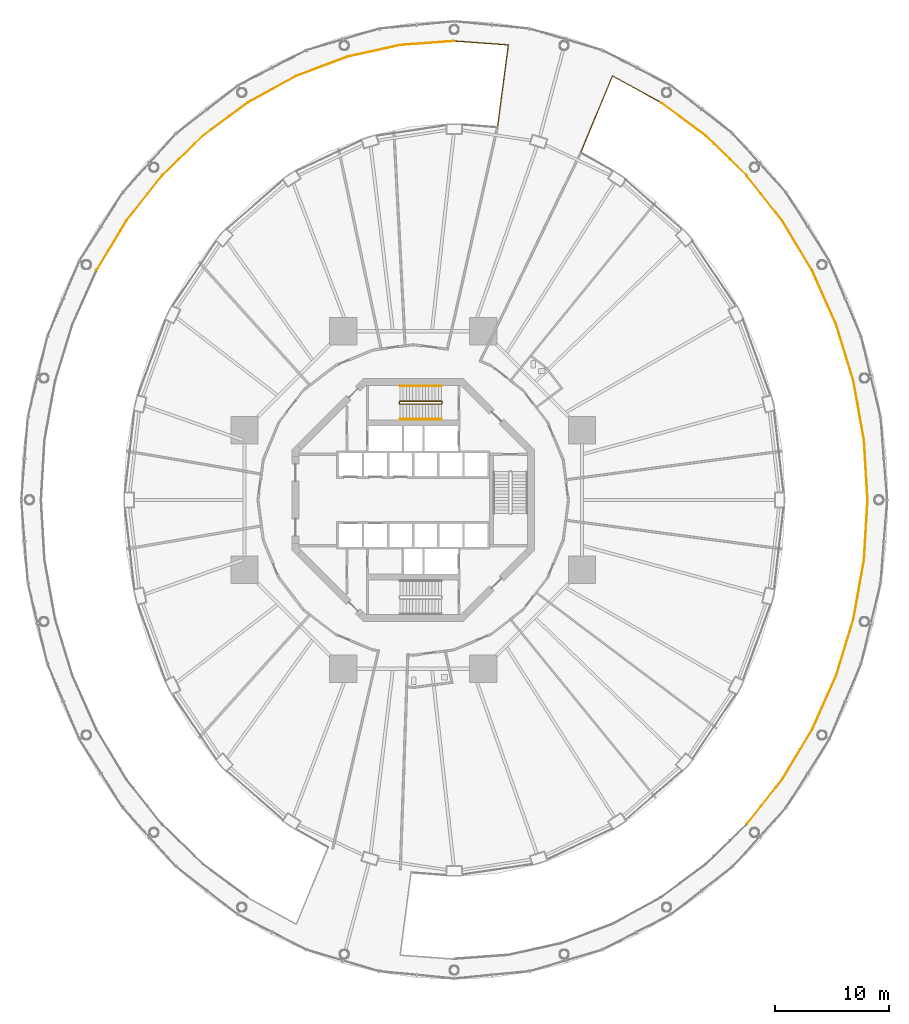
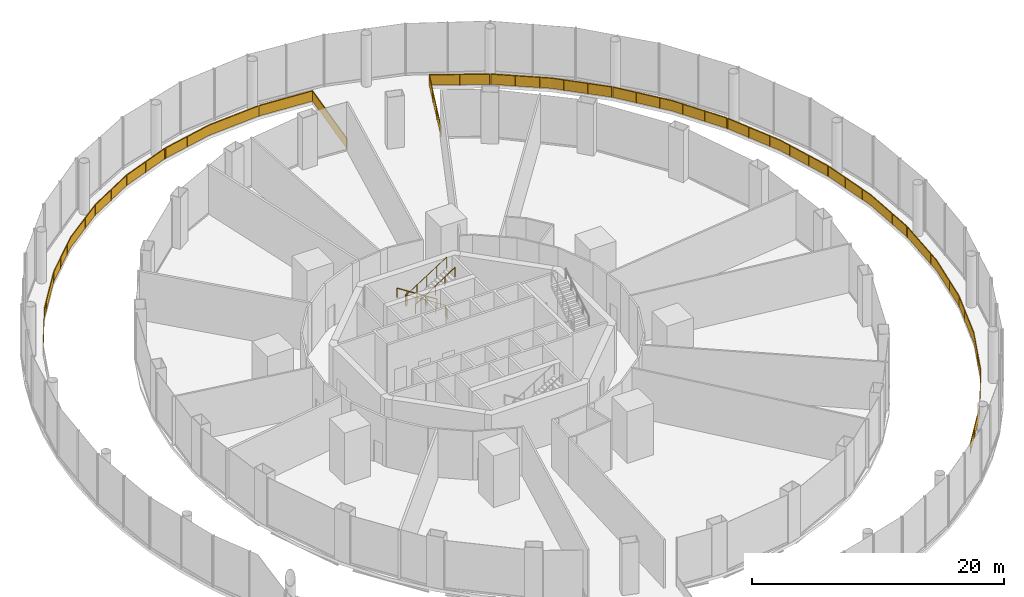
# One storey, part 47 of 48: 16 railings.
"""IFC4 building model written with IfcOpenShell, lengths in metres."""

from ifc_helpers import new_model, si_unit, direction, frame, origin, origin_2d, place, context, subcontext, project, spatial, polyline, rectangle, circle, outline, extrude, material, type_object, element, save


model = new_model("IFC4")

# Units and contexts
model_context = context("Model", 3, precision=1e-05, world=origin(), true_north=direction((0.0, 1.0)))
body_context = subcontext(model_context, "Body", "Model", "MODEL_VIEW")
ifc_project = project(units=[si_unit("LENGTHUNIT", "METRE"), si_unit("AREAUNIT", "SQUARE_METRE"), si_unit("VOLUMEUNIT", "CUBIC_METRE"), si_unit("PLANEANGLEUNIT", "RADIAN"), si_unit("MASSUNIT", "GRAM", prefix="KILO")], contexts=[model_context])

# Site, building, storey
site_placement = place(None, origin())
site = spatial("IfcSite", under=ifc_project, at=site_placement, CompositionType="ELEMENT")
building_placement = place(site_placement, origin())
building = spatial("IfcBuilding", under=site, at=building_placement, Name="Nagisa Residences", CompositionType="ELEMENT")
storey_placement = place(building_placement, frame((0.0, 0.0, 12.0)))
storey = spatial("IfcBuildingStorey", under=building, at=storey_placement, Name="L02", CompositionType="ELEMENT", Elevation=12.0)

# Railings
ifc_material_1 = material(Name="Stainless steel 316", Category="steel")
railing_type_1 = type_object("IfcRailingType", Name="ROOF GUARD 1100", PredefinedType="GUARDRAIL", material=ifc_material_1)
railing_1_placement = place(storey_placement, frame((7.390380859375, 32.75732421875, 0.0)))
element("IfcRailing", 1, at=railing_1_placement, inside=storey, type_object=railing_type_1, Name="guard:L02:gal0-00", PredefinedType="GUARDRAIL", context=body_context, shape_type="SweptSolid", body=[
    extrude(outline(polyline([(0.90625, 7.075927734375), (-0.02490234375, 0.003173828125), (0.02490234375, -0.003173828125), (0.962890625, 7.121826171875), (-3.748779296875, 7.464599609375), (-3.752197265625, 7.414794921875), (0.90625, 7.075927734375)])), frame((0.0, 0.0, 1.050048828125)), (0.0, 0.0, 1.0), 0.050048828125),
    extrude(outline(polyline([(0.9267578125, 7.092529296875), (-0.0068359375, 0.0009765625), (0.0068359375, -0.0009765625), (0.9423828125, 7.105224609375), (-3.75, 7.44677734375), (-3.7509765625, 7.4326171875), (0.9267578125, 7.092529296875)])), frame((0.0, 0.0, 0.06005859375)), (0.0, 0.0, 1.0), 0.989990234375),
    extrude(rectangle(XDim=0.0400390625, YDim=0.0400390625, at=origin_2d()), origin(), (0.0, 0.0, 1.0), 1.050048828125),
    extrude(rectangle(XDim=0.0400390625, YDim=0.0400390625, at=origin_2d()), frame((0.3095703125, 2.351318359375, 0.0)), (0.0, 0.0, 1.0), 1.050048828125),
    extrude(rectangle(XDim=0.0400390625, YDim=0.0400390625, at=origin_2d()), frame((0.619140625, 4.702392578125, 0.0)), (0.0, 0.0, 1.0), 1.050048828125),
    extrude(rectangle(XDim=0.0400390625, YDim=0.0400390625, at=origin_2d()), frame((0.9287109375, 7.0537109375, 0.0)), (0.0, 0.0, 1.0), 1.050048828125),
    extrude(rectangle(XDim=0.0400390625, YDim=0.0400390625, at=origin_2d()), frame((-1.38525390625, 7.267578125, 0.0)), (0.0, 0.0, 1.0), 1.050048828125),
    extrude(rectangle(XDim=0.0400390625, YDim=0.0400390625, at=origin_2d()), frame((-3.75048828125, 7.439697265625, 0.0)), (0.0, 0.0, 1.0), 1.050048828125),
])
railing_2_placement = place(storey_placement, frame((3.56005859375, 40.197021484375, 0.0)))
element("IfcRailing", 2, at=railing_2_placement, inside=storey, type_object=railing_type_1, Name="guard:L02:gal0-01", PredefinedType="GUARDRAIL", context=body_context, shape_type="SweptSolid", body=[
    extrude(outline(polyline([(-4.681396484375, -0.36572265625), (0.001708984375, -0.02490234375), (-0.001708984375, 0.02490234375), (-4.688720703125, -0.31591796875), (-9.295654296875, -1.333740234375), (-9.284912109375, -1.382568359375), (-4.681396484375, -0.36572265625)])), frame((0.0, 0.0, 1.050048828125)), (0.0, 0.0, 1.0), 0.050048828125),
    extrude(outline(polyline([(-4.68408203125, -0.34765625), (0.00048828125, -0.007080078125), (-0.00048828125, 0.007080078125), (-4.68603515625, -0.333984375), (-9.291748046875, -1.351318359375), (-9.288818359375, -1.364990234375), (-4.68408203125, -0.34765625)])), frame((0.0, 0.0, 0.06005859375)), (0.0, 0.0, 1.0), 0.989990234375),
    extrude(rectangle(XDim=0.0400390625, YDim=0.0400390625, at=origin_2d()), origin(), (0.0, 0.0, 1.0), 1.050048828125),
    extrude(rectangle(XDim=0.0400390625, YDim=0.0400390625, at=origin_2d()), frame((-2.34716796875, -0.170654296875, 0.0)), (0.0, 0.0, 1.0), 1.050048828125),
    extrude(rectangle(XDim=0.0400390625, YDim=0.0400390625, at=origin_2d()), frame((-4.6943359375, -0.3427734375, 0.0)), (0.0, 0.0, 1.0), 1.050048828125),
    extrude(rectangle(XDim=0.0400390625, YDim=0.0400390625, at=origin_2d()), frame((-6.9921875, -0.8505859375, 0.0)), (0.0, 0.0, 1.0), 1.050048828125),
    extrude(rectangle(XDim=0.0400390625, YDim=0.0400390625, at=origin_2d()), frame((-9.290283203125, -1.358154296875, 0.0)), (0.0, 0.0, 1.0), 1.050048828125),
])
railing_3_placement = place(storey_placement, frame((-5.806640625, 38.816162109375, 0.0)))
element("IfcRailing", 3, at=railing_3_placement, inside=storey, type_object=railing_type_1, Name="guard:L02:gal0-02", PredefinedType="GUARDRAIL", context=body_context, shape_type="SweptSolid", body=[
    extrude(outline(polyline([(-4.43603515625, -1.698974609375), (0.0087890625, -0.0234375), (-0.0087890625, 0.0234375), (-4.45703125, -1.653564453125), (-8.670166015625, -3.960693359375), (-8.646240234375, -4.004638671875), (-4.43603515625, -1.698974609375)])), frame((0.0, 0.0, 1.050048828125)), (0.0, 0.0, 1.0), 0.050048828125),
    extrude(outline(polyline([(-4.443603515625, -1.6826171875), (0.00244140625, -0.006591796875), (-0.00244140625, 0.006591796875), (-4.449462890625, -1.669921875), (-8.66162109375, -3.9765625), (-8.65478515625, -3.98876953125), (-4.443603515625, -1.6826171875)])), frame((0.0, 0.0, 0.06005859375)), (0.0, 0.0, 1.0), 0.989990234375),
    extrude(rectangle(XDim=0.0400390625, YDim=0.0400390625, at=origin_2d()), origin(), (0.0, 0.0, 1.0), 1.050048828125),
    extrude(rectangle(XDim=0.0400390625, YDim=0.0400390625, at=origin_2d()), frame((-2.23486328125, -0.842529296875, 0.0)), (0.0, 0.0, 1.0), 1.050048828125),
    extrude(rectangle(XDim=0.0400390625, YDim=0.0400390625, at=origin_2d()), frame((-4.468505859375, -1.688232421875, 0.0)), (0.0, 0.0, 1.0), 1.050048828125),
    extrude(rectangle(XDim=0.0400390625, YDim=0.0400390625, at=origin_2d()), frame((-6.563232421875, -2.83544921875, 0.0)), (0.0, 0.0, 1.0), 1.050048828125),
    extrude(rectangle(XDim=0.0400390625, YDim=0.0400390625, at=origin_2d()), frame((-8.658203125, -3.982666015625, 0.0)), (0.0, 0.0, 1.0), 1.050048828125),
])
railing_4_placement = place(storey_placement, frame((-14.5322265625, 34.790283203125, 0.0)))
element("IfcRailing", 4, at=railing_4_placement, inside=storey, type_object=railing_type_1, Name="guard:L02:gal0-03", PredefinedType="GUARDRAIL", context=body_context, shape_type="SweptSolid", body=[
    extrude(outline(polyline([(-3.888671875, -2.91650390625), (0.014892578125, -0.02001953125), (-0.014892578125, 0.02001953125), (-3.92138671875, -2.87841796875), (-7.453857421875, -6.31884765625), (-7.418701171875, -6.3544921875), (-3.888671875, -2.91650390625)])), frame((0.0, 0.0, 1.050048828125)), (0.0, 0.0, 1.0), 0.050048828125),
    extrude(outline(polyline([(-3.900390625, -2.90283203125), (0.004150390625, -0.005615234375), (-0.004150390625, 0.005615234375), (-3.90966796875, -2.89208984375), (-7.441162109375, -6.33154296875), (-7.431396484375, -6.341796875), (-3.900390625, -2.90283203125)])), frame((0.0, 0.0, 0.06005859375)), (0.0, 0.0, 1.0), 0.989990234375),
    extrude(rectangle(XDim=0.0400390625, YDim=0.0400390625, at=origin_2d()), origin(), (0.0, 0.0, 1.0), 1.050048828125),
    extrude(rectangle(XDim=0.0400390625, YDim=0.0400390625, at=origin_2d()), frame((-1.57275390625, -1.1669921875, 0.0)), (0.0, 0.0, 1.0), 1.050048828125),
    extrude(rectangle(XDim=0.0400390625, YDim=0.0400390625, at=origin_2d()), frame((-3.1455078125, -2.333984375, 0.0)), (0.0, 0.0, 1.0), 1.050048828125),
    extrude(rectangle(XDim=0.0400390625, YDim=0.0400390625, at=origin_2d()), frame((-4.63037109375, -3.60400390625, 0.0)), (0.0, 0.0, 1.0), 1.050048828125),
    extrude(rectangle(XDim=0.0400390625, YDim=0.0400390625, at=origin_2d()), frame((-6.033447265625, -4.97021484375, 0.0)), (0.0, 0.0, 1.0), 1.050048828125),
    extrude(rectangle(XDim=0.0400390625, YDim=0.0400390625, at=origin_2d()), frame((-7.436279296875, -6.336669921875, 0.0)), (0.0, 0.0, 1.0), 1.050048828125),
])
railing_5_placement = place(storey_placement, frame((-22.02197265625, 28.394287109375, 0.0)))
element("IfcRailing", 5, at=railing_5_placement, inside=storey, type_object=railing_type_1, Name="guard:L02:gal0-04", PredefinedType="GUARDRAIL", context=body_context, shape_type="SweptSolid", body=[
    extrude(outline(polyline([(-3.076904296875, -3.936279296875), (0.01953125, -0.015625), (-0.01953125, 0.015625), (-3.117919921875, -3.907958984375), (-5.72900390625, -8.2470703125), (-5.68603515625, -8.27294921875), (-3.076904296875, -3.936279296875)])), frame((0.0, 0.0, 1.050048828125)), (0.0, 0.0, 1.0), 0.050048828125),
    extrude(outline(polyline([(-3.091552734375, -3.926025390625), (0.005615234375, -0.00439453125), (-0.005615234375, 0.00439453125), (-3.103271484375, -3.918212890625), (-5.713623046875, -8.25634765625), (-5.701416015625, -8.263671875), (-3.091552734375, -3.926025390625)])), frame((0.0, 0.0, 0.06005859375)), (0.0, 0.0, 1.0), 0.989990234375),
    extrude(rectangle(XDim=0.0400390625, YDim=0.0400390625, at=origin_2d()), origin(), (0.0, 0.0, 1.0), 1.050048828125),
    extrude(rectangle(XDim=0.0400390625, YDim=0.0400390625, at=origin_2d()), frame((-1.2470703125, -1.5791015625, 0.0)), (0.0, 0.0, 1.0), 1.050048828125),
    extrude(rectangle(XDim=0.0400390625, YDim=0.0400390625, at=origin_2d()), frame((-2.494140625, -3.157958984375, 0.0)), (0.0, 0.0, 1.0), 1.050048828125),
    extrude(rectangle(XDim=0.0400390625, YDim=0.0400390625, at=origin_2d()), frame((-3.6328125, -4.81201171875, 0.0)), (0.0, 0.0, 1.0), 1.050048828125),
    extrude(rectangle(XDim=0.0400390625, YDim=0.0400390625, at=origin_2d()), frame((-4.670166015625, -6.535888671875, 0.0)), (0.0, 0.0, 1.0), 1.050048828125),
    extrude(rectangle(XDim=0.0400390625, YDim=0.0400390625, at=origin_2d()), frame((-5.70751953125, -8.260009765625, 0.0)), (0.0, 0.0, 1.0), 1.050048828125),
])
railing_6_placement = place(storey_placement, frame((29.22216796875, -28.394287109375, 0.0)))
element("IfcRailing", 6, at=railing_6_placement, inside=storey, type_object=railing_type_1, Name="guard:L02:gal1-04", PredefinedType="GUARDRAIL", context=body_context, shape_type="SweptSolid", body=[
    extrude(outline(polyline([(3.07666015625, 3.936279296875), (-0.01953125, 0.015625), (0.01953125, -0.015625), (3.11767578125, 3.907958984375), (5.728759765625, 8.2470703125), (5.685791015625, 8.27294921875), (3.07666015625, 3.936279296875)])), frame((0.0, 0.0, 1.050048828125)), (0.0, 0.0, 1.0), 0.050048828125),
    extrude(outline(polyline([(3.09130859375, 3.926025390625), (-0.005615234375, 0.00439453125), (0.005615234375, -0.00439453125), (3.10302734375, 3.918212890625), (5.71337890625, 8.25634765625), (5.701171875, 8.263671875), (3.09130859375, 3.926025390625)])), frame((0.0, 0.0, 0.06005859375)), (0.0, 0.0, 1.0), 0.989990234375),
    extrude(rectangle(XDim=0.0400390625, YDim=0.0400390625, at=origin_2d()), origin(), (0.0, 0.0, 1.0), 1.050048828125),
    extrude(rectangle(XDim=0.0400390625, YDim=0.0400390625, at=origin_2d()), frame((1.246826171875, 1.5791015625, 0.0)), (0.0, 0.0, 1.0), 1.050048828125),
    extrude(rectangle(XDim=0.0400390625, YDim=0.0400390625, at=origin_2d()), frame((2.493896484375, 3.158203125, 0.0)), (0.0, 0.0, 1.0), 1.050048828125),
    extrude(rectangle(XDim=0.0400390625, YDim=0.0400390625, at=origin_2d()), frame((3.632568359375, 4.81201171875, 0.0)), (0.0, 0.0, 1.0), 1.050048828125),
    extrude(rectangle(XDim=0.0400390625, YDim=0.0400390625, at=origin_2d()), frame((4.669921875, 6.535888671875, 0.0)), (0.0, 0.0, 1.0), 1.050048828125),
    extrude(rectangle(XDim=0.0400390625, YDim=0.0400390625, at=origin_2d()), frame((5.707275390625, 8.260009765625, 0.0)), (0.0, 0.0, 1.0), 1.050048828125),
])
railing_7_placement = place(storey_placement, frame((34.96630859375, -20.0634765625, 0.0)))
element("IfcRailing", 7, at=railing_7_placement, inside=storey, type_object=railing_type_1, Name="guard:L02:gal1-05", PredefinedType="GUARDRAIL", context=body_context, shape_type="SweptSolid", body=[
    extrude(outline(polyline([(2.0546875, 4.6884765625), (-0.02294921875, 0.01025390625), (0.02294921875, -0.01025390625), (2.1015625, 4.6708984375), (3.612548828125, 9.61328125), (3.564697265625, 9.6279296875), (2.0546875, 4.6884765625)])), frame((0.0, 0.0, 1.050048828125)), (0.0, 0.0, 1.0), 0.050048828125),
    extrude(outline(polyline([(2.071533203125, 4.68212890625), (-0.00634765625, 0.0029296875), (0.00634765625, -0.0029296875), (2.084716796875, 4.67724609375), (3.59521484375, 9.61865234375), (3.58203125, 9.62255859375), (2.071533203125, 4.68212890625)])), frame((0.0, 0.0, 0.06005859375)), (0.0, 0.0, 1.0), 0.989990234375),
    extrude(rectangle(XDim=0.0400390625, YDim=0.0400390625, at=origin_2d()), origin(), (0.0, 0.0, 1.0), 1.050048828125),
    extrude(rectangle(XDim=0.0400390625, YDim=0.0400390625, at=origin_2d()), frame((0.8349609375, 1.88037109375, 0.0)), (0.0, 0.0, 1.0), 1.050048828125),
    extrude(rectangle(XDim=0.0400390625, YDim=0.0400390625, at=origin_2d()), frame((1.669921875, 3.7607421875, 0.0)), (0.0, 0.0, 1.0), 1.050048828125),
    extrude(rectangle(XDim=0.0400390625, YDim=0.0400390625, at=origin_2d()), frame((2.3857421875, 5.685546875, 0.0)), (0.0, 0.0, 1.0), 1.050048828125),
    extrude(rectangle(XDim=0.0400390625, YDim=0.0400390625, at=origin_2d()), frame((2.987060546875, 7.653076171875, 0.0)), (0.0, 0.0, 1.0), 1.050048828125),
    extrude(rectangle(XDim=0.0400390625, YDim=0.0400390625, at=origin_2d()), frame((3.588623046875, 9.62060546875, 0.0)), (0.0, 0.0, 1.0), 1.050048828125),
])
railing_8_placement = place(storey_placement, frame((38.573486328125, -10.365234375, 0.0)))
element("IfcRailing", 8, at=railing_8_placement, inside=storey, type_object=railing_type_1, Name="guard:L02:gal1-06", PredefinedType="GUARDRAIL", context=body_context, shape_type="SweptSolid", body=[
    extrude(outline(polyline([(0.891845703125, 5.12109375), (-0.024658203125, 0.00439453125), (0.024658203125, -0.00439453125), (0.941650390625, 5.115234375), (1.2490234375, 10.32373046875), (1.19921875, 10.32666015625), (0.891845703125, 5.12109375)])), frame((0.0, 0.0, 1.050048828125)), (0.0, 0.0, 1.0), 0.050048828125),
    extrude(outline(polyline([(0.90966796875, 5.118896484375), (-0.0068359375, 0.001220703125), (0.0068359375, -0.001220703125), (0.923828125, 5.117431640625), (1.231201171875, 10.32470703125), (1.217041015625, 10.32568359375), (0.90966796875, 5.118896484375)])), frame((0.0, 0.0, 0.06005859375)), (0.0, 0.0, 1.0), 0.989990234375),
    extrude(rectangle(XDim=0.0400390625, YDim=0.0400390625, at=origin_2d()), origin(), (0.0, 0.0, 1.0), 1.050048828125),
    extrude(rectangle(XDim=0.0400390625, YDim=0.0400390625, at=origin_2d()), frame((0.3671875, 2.050537109375, 0.0)), (0.0, 0.0, 1.0), 1.050048828125),
    extrude(rectangle(XDim=0.0400390625, YDim=0.0400390625, at=origin_2d()), frame((0.734619140625, 4.10107421875, 0.0)), (0.0, 0.0, 1.0), 1.050048828125),
    extrude(rectangle(XDim=0.0400390625, YDim=0.0400390625, at=origin_2d()), frame((0.978515625, 6.166259765625, 0.0)), (0.0, 0.0, 1.0), 1.050048828125),
    extrude(rectangle(XDim=0.0400390625, YDim=0.0400390625, at=origin_2d()), frame((1.101318359375, 8.24560546875, 0.0)), (0.0, 0.0, 1.0), 1.050048828125),
    extrude(rectangle(XDim=0.0400390625, YDim=0.0400390625, at=origin_2d()), frame((1.22412109375, 10.3251953125, 0.0)), (0.0, 0.0, 1.0), 1.050048828125),
])
railing_9_placement = place(storey_placement, frame((39.797607421875, 0.0400390625, 0.0)))
element("IfcRailing", 9, at=railing_9_placement, inside=storey, type_object=railing_type_1, Name="guard:L02:gal1-07", PredefinedType="GUARDRAIL", context=body_context, shape_type="SweptSolid", body=[
    extrude(outline(polyline([(-0.332275390625, 5.2041015625), (-0.02490234375, -0.00146484375), (0.02490234375, 0.00146484375), (-0.282470703125, 5.2099609375), (-1.199462890625, 10.32958984375), (-1.248779296875, 10.32080078125), (-0.332275390625, 5.2041015625)])), frame((0.0, 0.0, 1.050048828125)), (0.0, 0.0, 1.0), 0.050048828125),
    extrude(outline(polyline([(-0.314453125, 5.206298828125), (-0.007080078125, -0.00048828125), (0.007080078125, 0.00048828125), (-0.30029296875, 5.207763671875), (-1.21728515625, 10.326416015625), (-1.23095703125, 10.323974609375), (-0.314453125, 5.206298828125)])), frame((0.0, 0.0, 0.06005859375)), (0.0, 0.0, 1.0), 0.989990234375),
    extrude(rectangle(XDim=0.0400390625, YDim=0.0400390625, at=origin_2d()), origin(), (0.0, 0.0, 1.0), 1.050048828125),
    extrude(rectangle(XDim=0.0400390625, YDim=0.0400390625, at=origin_2d()), frame((-0.122802734375, 2.07958984375, 0.0)), (0.0, 0.0, 1.0), 1.050048828125),
    extrude(rectangle(XDim=0.0400390625, YDim=0.0400390625, at=origin_2d()), frame((-0.24560546875, 4.158935546875, 0.0)), (0.0, 0.0, 1.0), 1.050048828125),
    extrude(rectangle(XDim=0.0400390625, YDim=0.0400390625, at=origin_2d()), frame((-0.489501953125, 6.22412109375, 0.0)), (0.0, 0.0, 1.0), 1.050048828125),
    extrude(rectangle(XDim=0.0400390625, YDim=0.0400390625, at=origin_2d()), frame((-0.85693359375, 8.274658203125, 0.0)), (0.0, 0.0, 1.0), 1.050048828125),
    extrude(rectangle(XDim=0.0400390625, YDim=0.0400390625, at=origin_2d()), frame((-1.22412109375, 10.3251953125, 0.0)), (0.0, 0.0, 1.0), 1.050048828125),
])
railing_10_placement = place(storey_placement, frame((38.554931640625, 10.44287109375, 0.0)))
element("IfcRailing", 10, at=railing_10_placement, inside=storey, type_object=railing_type_1, Name="guard:L02:gal1-08", PredefinedType="GUARDRAIL", context=body_context, shape_type="SweptSolid", body=[
    extrude(outline(polyline([(-1.533935546875, 4.93212890625), (-0.02392578125, -0.00732421875), (0.02392578125, 0.00732421875), (-1.487060546875, 4.94970703125), (-3.565673828125, 9.630859375), (-3.611572265625, 9.6103515625), (-1.533935546875, 4.93212890625)])), frame((0.0, 0.0, 1.050048828125)), (0.0, 0.0, 1.0), 0.050048828125),
    extrude(outline(polyline([(-1.51708984375, 4.9384765625), (-0.006591796875, -0.001953125), (0.006591796875, 0.001953125), (-1.50390625, 4.943359375), (-3.582275390625, 9.62353515625), (-3.594970703125, 9.61767578125), (-1.51708984375, 4.9384765625)])), frame((0.0, 0.0, 0.06005859375)), (0.0, 0.0, 1.0), 0.989990234375),
    extrude(rectangle(XDim=0.0400390625, YDim=0.0400390625, at=origin_2d()), origin(), (0.0, 0.0, 1.0), 1.050048828125),
    extrude(rectangle(XDim=0.0400390625, YDim=0.0400390625, at=origin_2d()), frame((-0.6015625, 1.967529296875, 0.0)), (0.0, 0.0, 1.0), 1.050048828125),
    extrude(rectangle(XDim=0.0400390625, YDim=0.0400390625, at=origin_2d()), frame((-1.202880859375, 3.93505859375, 0.0)), (0.0, 0.0, 1.0), 1.050048828125),
    extrude(rectangle(XDim=0.0400390625, YDim=0.0400390625, at=origin_2d()), frame((-1.918701171875, 5.85986328125, 0.0)), (0.0, 0.0, 1.0), 1.050048828125),
    extrude(rectangle(XDim=0.0400390625, YDim=0.0400390625, at=origin_2d()), frame((-2.753662109375, 7.740234375, 0.0)), (0.0, 0.0, 1.0), 1.050048828125),
    extrude(rectangle(XDim=0.0400390625, YDim=0.0400390625, at=origin_2d()), frame((-3.588623046875, 9.62060546875, 0.0)), (0.0, 0.0, 1.0), 1.050048828125),
])
railing_11_placement = place(storey_placement, frame((34.929443359375, 20.13427734375, 0.0)))
element("IfcRailing", 11, at=railing_11_placement, inside=storey, type_object=railing_type_1, Name="guard:L02:gal1-09", PredefinedType="GUARDRAIL", context=body_context, shape_type="SweptSolid", body=[
    extrude(outline(polyline([(-2.630615234375, 4.32373046875), (-0.021484375, -0.012939453125), (0.021484375, 0.012939453125), (-2.589599609375, 4.35205078125), (-5.687744140625, 8.275634765625), (-5.726806640625, 8.244384765625), (-2.630615234375, 4.32373046875)])), frame((0.0, 0.0, 1.050048828125)), (0.0, 0.0, 1.0), 0.050048828125),
    extrude(outline(polyline([(-2.615966796875, 4.333984375), (-0.006103515625, -0.003662109375), (0.006103515625, 0.003662109375), (-2.604248046875, 4.341796875), (-5.70166015625, 8.264404296875), (-5.712890625, 8.255615234375), (-2.615966796875, 4.333984375)])), frame((0.0, 0.0, 0.06005859375)), (0.0, 0.0, 1.0), 0.989990234375),
    extrude(rectangle(XDim=0.0400390625, YDim=0.0400390625, at=origin_2d()), origin(), (0.0, 0.0, 1.0), 1.050048828125),
    extrude(rectangle(XDim=0.0400390625, YDim=0.0400390625, at=origin_2d()), frame((-1.037353515625, 1.72412109375, 0.0)), (0.0, 0.0, 1.0), 1.050048828125),
    extrude(rectangle(XDim=0.0400390625, YDim=0.0400390625, at=origin_2d()), frame((-2.07470703125, 3.447998046875, 0.0)), (0.0, 0.0, 1.0), 1.050048828125),
    extrude(rectangle(XDim=0.0400390625, YDim=0.0400390625, at=origin_2d()), frame((-3.21337890625, 5.101806640625, 0.0)), (0.0, 0.0, 1.0), 1.050048828125),
    extrude(rectangle(XDim=0.0400390625, YDim=0.0400390625, at=origin_2d()), frame((-4.46044921875, 6.680908203125, 0.0)), (0.0, 0.0, 1.0), 1.050048828125),
    extrude(rectangle(XDim=0.0400390625, YDim=0.0400390625, at=origin_2d()), frame((-5.707275390625, 8.260009765625, 0.0)), (0.0, 0.0, 1.0), 1.050048828125),
])
railing_12_placement = place(storey_placement, frame((29.168701171875, 28.45361328125, 0.0)))
element("IfcRailing", 12, at=railing_12_placement, inside=storey, type_object=railing_type_1, Name="guard:L02:gal1-10", PredefinedType="GUARDRAIL", context=body_context, shape_type="SweptSolid", body=[
    extrude(outline(polyline([(-3.5478515625, 3.420166015625), (-0.017578125, -0.017822265625), (0.017578125, 0.017822265625), (-3.51513671875, 3.458251953125), (-7.421630859375, 6.356689453125), (-7.451416015625, 6.316650390625), (-3.5478515625, 3.420166015625)])), frame((0.0, 0.0, 1.050048828125)), (0.0, 0.0, 1.0), 0.050048828125),
    extrude(outline(polyline([(-3.5361328125, 3.433837890625), (-0.0048828125, -0.005126953125), (0.0048828125, 0.005126953125), (-3.52685546875, 3.444580078125), (-7.432373046875, 6.34228515625), (-7.440673828125, 6.3310546875), (-3.5361328125, 3.433837890625)])), frame((0.0, 0.0, 0.06005859375)), (0.0, 0.0, 1.0), 0.989990234375),
    extrude(rectangle(XDim=0.0400390625, YDim=0.0400390625, at=origin_2d()), origin(), (0.0, 0.0, 1.0), 1.050048828125),
    extrude(rectangle(XDim=0.0400390625, YDim=0.0400390625, at=origin_2d()), frame((-1.403076171875, 1.366455078125, 0.0)), (0.0, 0.0, 1.0), 1.050048828125),
    extrude(rectangle(XDim=0.0400390625, YDim=0.0400390625, at=origin_2d()), frame((-2.805908203125, 2.732666015625, 0.0)), (0.0, 0.0, 1.0), 1.050048828125),
    extrude(rectangle(XDim=0.0400390625, YDim=0.0400390625, at=origin_2d()), frame((-4.291015625, 4.002685546875, 0.0)), (0.0, 0.0, 1.0), 1.050048828125),
    extrude(rectangle(XDim=0.0400390625, YDim=0.0400390625, at=origin_2d()), frame((-5.86376953125, 5.169677734375, 0.0)), (0.0, 0.0, 1.0), 1.050048828125),
    extrude(rectangle(XDim=0.0400390625, YDim=0.0400390625, at=origin_2d()), frame((-7.4365234375, 6.336669921875, 0.0)), (0.0, 0.0, 1.0), 1.050048828125),
])
railing_13_placement = place(storey_placement, frame((21.664794921875, 34.83349609375, 0.0)))
element("IfcRailing", 13, at=railing_13_placement, inside=storey, type_object=railing_type_1, Name="guard:L02:gal1-11", PredefinedType="GUARDRAIL", context=body_context, shape_type="SweptSolid", body=[
    extrude(outline(polyline([(-4.19921875, 2.27099609375), (-0.011962890625, -0.02197265625), (0.011962890625, 0.02197265625), (-4.22412109375, 2.341796875), (-6.974853515625, -4.299072265625), (-6.928466796875, -4.318115234375), (-4.19921875, 2.27099609375)])), frame((0.0, 0.0, 1.050048828125)), (0.0, 0.0, 1.0), 0.050048828125),
    extrude(outline(polyline([(-4.208251953125, 2.296630859375), (-0.00341796875, -0.006103515625), (0.00341796875, 0.006103515625), (-4.215087890625, 2.316162109375), (-6.9580078125, -4.305908203125), (-6.9453125, -4.311279296875), (-4.208251953125, 2.296630859375)])), frame((0.0, 0.0, 0.06005859375)), (0.0, 0.0, 1.0), 0.989990234375),
    extrude(rectangle(XDim=0.0400390625, YDim=0.0400390625, at=origin_2d()), origin(), (0.0, 0.0, 1.0), 1.050048828125),
    extrude(rectangle(XDim=0.0400390625, YDim=0.0400390625, at=origin_2d()), frame((-2.098388671875, 1.149169921875, 0.0)), (0.0, 0.0, 1.0), 1.050048828125),
    extrude(rectangle(XDim=0.0400390625, YDim=0.0400390625, at=origin_2d()), frame((-4.19677734375, 2.298095703125, 0.0)), (0.0, 0.0, 1.0), 1.050048828125),
    extrude(rectangle(XDim=0.0400390625, YDim=0.0400390625, at=origin_2d()), frame((-5.12060546875, 0.11181640625, 0.0)), (0.0, 0.0, 1.0), 1.050048828125),
    extrude(rectangle(XDim=0.0400390625, YDim=0.0400390625, at=origin_2d()), frame((-6.0361328125, -2.098388671875, 0.0)), (0.0, 0.0, 1.0), 1.050048828125),
    extrude(rectangle(XDim=0.0400390625, YDim=0.0400390625, at=origin_2d()), frame((-6.95166015625, -4.30859375, 0.0)), (0.0, 0.0, 1.0), 1.050048828125),
])
ifc_material_2 = material(Name="Stainless steel", Category="steel")
railing_type_2 = type_object("IfcRailingType", Name="Stair guard 1100", PredefinedType="GUARDRAIL", material=ifc_material_2)
railing_14_placement = place(storey_placement, frame((2.52490234375, 8.44970703125, 0.0)))
element("IfcRailing", 14, at=railing_14_placement, inside=storey, type_object=railing_type_2, Name="L02 ST-N stair guard 1", PredefinedType="GUARDRAIL", context=body_context, shape_type="SweptSolid", body=[
    extrude(circle(Radius=0.02392578125, at=origin_2d()), frame((0.0, 0.0, 1.076171875), z_axis=(0.0, 1.0, 0.0), x_axis=(-1.0, 0.0, 0.0)), (0.0, 0.0, 1.0), 0.14990234375),
    extrude(circle(Radius=0.02392578125, at=origin_2d()), frame((0.0, 0.14990234375, 1.076171875), z_axis=(-0.25949872427, 0.26077077684, 0.929870428634), x_axis=(-0.708833529934, -0.705375805398, 0.0)), (0.0, 0.0, 1.0), 0.19189453125),
    extrude(circle(Radius=0.02392578125, at=origin_2d()), frame((-0.0498046875, 0.199951171875, 1.25439453125), z_axis=(-0.843127859045, 0.0, 0.537713132908), x_axis=(0.0, -1.0, 0.0)), (0.0, 0.0, 1.0), 4.3173828125),
    extrude(circle(Radius=0.02392578125, at=origin_2d()), frame((-3.68994140625, 0.199951171875, 3.576171875), z_axis=(-0.707106781187, -0.707106781187, 0.0), x_axis=(0.707106781187, -0.707106781187, 0.0)), (0.0, 0.0, 1.0), 0.07080078125),
    extrude(circle(Radius=0.02392578125, at=origin_2d()), frame((-3.739990234375, 0.14990234375, 3.576171875), z_axis=(0.0, -1.0, 0.0), x_axis=(1.0, 0.0, 0.0)), (0.0, 0.0, 1.0), 0.14990234375),
    extrude(circle(Radius=0.02392578125, at=origin_2d()), frame((-3.739990234375, 0.0, 3.576171875), z_axis=(0.260684529273, -0.260684529273, 0.929562882432), x_axis=(0.707106781187, 0.707106781187, 0.0)), (0.0, 0.0, 1.0), 0.19189453125),
    extrude(circle(Radius=0.02392578125, at=origin_2d()), frame((-3.68994140625, -0.050048828125, 3.75439453125), z_axis=(0.843127859045, 0.0, 0.537713132908), x_axis=(0.0, 1.0, 0.0)), (0.0, 0.0, 1.0), 4.3173828125),
    extrude(circle(Radius=0.02099609375, at=origin_2d()), origin(), (0.0, 0.0, 1.0), 1.052001953125),
    extrude(circle(Radius=0.02099609375, at=origin_2d()), frame((0.0, 0.14990234375, 0.0)), (0.0, 0.0, 1.0), 1.052001953125),
    extrude(circle(Radius=0.02099609375, at=origin_2d()), frame((-0.0498046875, 0.199951171875, 0.178466796875)), (0.0, 0.0, 1.0), 1.052001953125),
    extrude(circle(Radius=0.02099609375, at=origin_2d()), frame((-0.9599609375, 0.199951171875, 0.7587890625)), (0.0, 0.0, 1.0), 1.052001953125),
    extrude(circle(Radius=0.02099609375, at=origin_2d()), frame((-1.869873046875, 0.199951171875, 1.33935546875)), (0.0, 0.0, 1.0), 1.052001953125),
    extrude(circle(Radius=0.02099609375, at=origin_2d()), frame((-2.77978515625, 0.199951171875, 1.919677734375)), (0.0, 0.0, 1.0), 1.052001953125),
    extrude(circle(Radius=0.02099609375, at=origin_2d()), frame((-3.68994140625, 0.199951171875, 2.5)), (0.0, 0.0, 1.0), 1.052001953125),
    extrude(circle(Radius=0.02099609375, at=origin_2d()), frame((-3.739990234375, 0.14990234375, 2.5)), (0.0, 0.0, 1.0), 1.052001953125),
    extrude(circle(Radius=0.02099609375, at=origin_2d()), frame((-3.739990234375, 0.0, 2.5)), (0.0, 0.0, 1.0), 1.052001953125),
    extrude(circle(Radius=0.02099609375, at=origin_2d()), frame((-3.68994140625, -0.050048828125, 2.678466796875)), (0.0, 0.0, 1.0), 1.052001953125),
    extrude(circle(Radius=0.02099609375, at=origin_2d()), frame((-2.77978515625, -0.050048828125, 3.2587890625)), (0.0, 0.0, 1.0), 1.052001953125),
    extrude(circle(Radius=0.02099609375, at=origin_2d()), frame((-1.869873046875, -0.050048828125, 3.83935546875)), (0.0, 0.0, 1.0), 1.052001953125),
    extrude(circle(Radius=0.02099609375, at=origin_2d()), frame((-0.9599609375, -0.050048828125, 4.419677734375)), (0.0, 0.0, 1.0), 1.052001953125),
    extrude(circle(Radius=0.02099609375, at=origin_2d()), frame((-0.0498046875, -0.050048828125, 5.0)), (0.0, 0.0, 1.0), 1.052001953125),
])
ifc_material_3 = material(Name="Stainless steel", Category="steel")
railing_type_3 = type_object("IfcRailingType", Name="Stair handrail 900", PredefinedType="HANDRAIL", material=ifc_material_3)
railing_15_placement = place(storey_placement, frame((2.47509765625, 9.974609375, 0.178466796875)))
element("IfcRailing", 15, at=railing_15_placement, inside=storey, type_object=railing_type_3, Name="L02 ST-N stair handrail 1", PredefinedType="HANDRAIL", context=body_context, shape_type="SweptSolid", body=[
    extrude(circle(Radius=0.02392578125, at=origin_2d()), frame((0.0, 0.0, 0.8759765625), z_axis=(-0.843127859045, 0.0, 0.537713132908), x_axis=(0.0, -1.0, 0.0)), (0.0, 0.0, 1.0), 4.3173828125),
    extrude(circle(Radius=0.02099609375, at=origin_2d()), origin(), (0.0, 0.0, 1.0), 0.851806640625),
    extrude(circle(Radius=0.02099609375, at=origin_2d()), frame((-0.91015625, 0.0, 0.580322265625)), (0.0, 0.0, 1.0), 0.851806640625),
    extrude(circle(Radius=0.02099609375, at=origin_2d()), frame((-1.820068359375, 0.0, 1.16064453125)), (0.0, 0.0, 1.0), 0.851806640625),
    extrude(circle(Radius=0.02099609375, at=origin_2d()), frame((-2.72998046875, 0.0, 1.7412109375)), (0.0, 0.0, 1.0), 0.851806640625),
    extrude(circle(Radius=0.02099609375, at=origin_2d()), frame((-3.64013671875, 0.0, 2.321533203125)), (0.0, 0.0, 1.0), 0.851806640625),
])
railing_16_placement = place(storey_placement, frame((-1.1650390625, 7.07470703125, 2.678466796875)))
element("IfcRailing", 16, at=railing_16_placement, inside=storey, type_object=railing_type_3, Name="L02 ST-N stair handrail 2", PredefinedType="HANDRAIL", context=body_context, shape_type="SweptSolid", body=[
    extrude(circle(Radius=0.02392578125, at=origin_2d()), frame((0.0, 0.0, 0.8759765625), z_axis=(0.843127859045, 0.0, 0.537713132908), x_axis=(0.0, 1.0, 0.0)), (0.0, 0.0, 1.0), 4.3173828125),
    extrude(circle(Radius=0.02099609375, at=origin_2d()), origin(), (0.0, 0.0, 1.0), 0.851806640625),
    extrude(circle(Radius=0.02099609375, at=origin_2d()), frame((0.91015625, 0.0, 0.580322265625)), (0.0, 0.0, 1.0), 0.851806640625),
    extrude(circle(Radius=0.02099609375, at=origin_2d()), frame((1.820068359375, 0.0, 1.16064453125)), (0.0, 0.0, 1.0), 0.851806640625),
    extrude(circle(Radius=0.02099609375, at=origin_2d()), frame((2.72998046875, 0.0, 1.7412109375)), (0.0, 0.0, 1.0), 0.851806640625),
    extrude(circle(Radius=0.02099609375, at=origin_2d()), frame((3.64013671875, 0.0, 2.321533203125)), (0.0, 0.0, 1.0), 0.851806640625),
])

save(model, "model.ifc")
